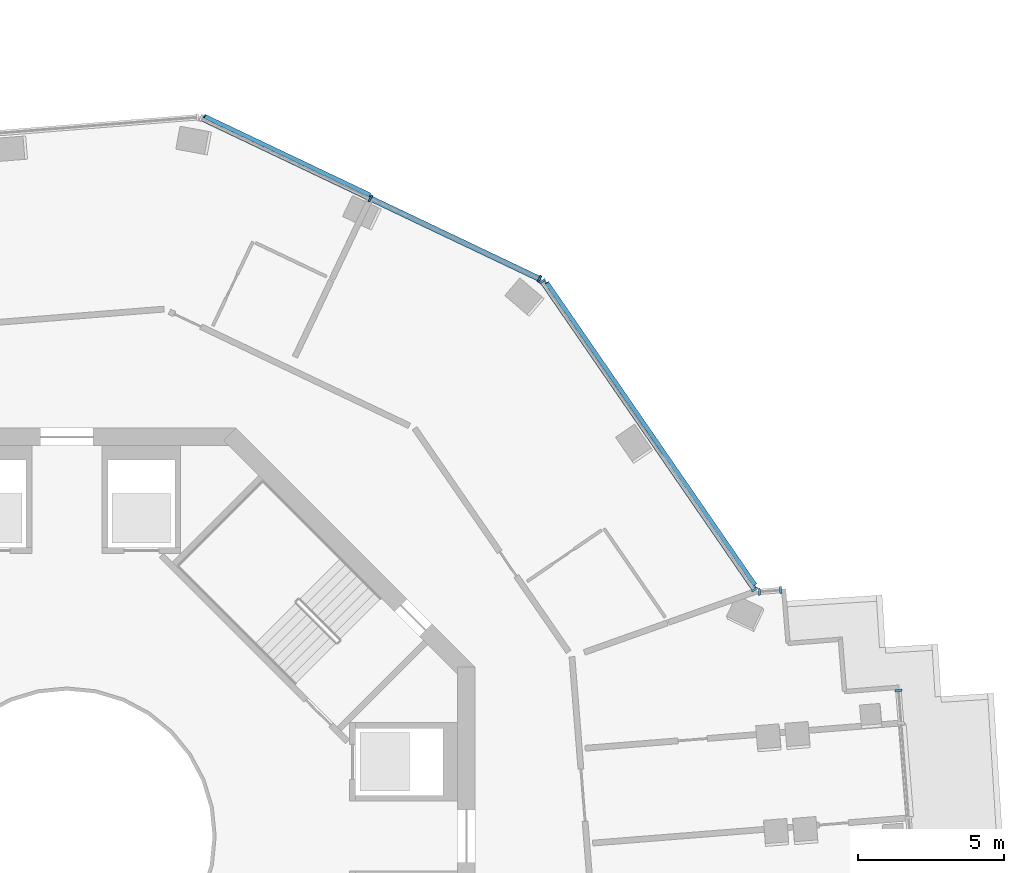
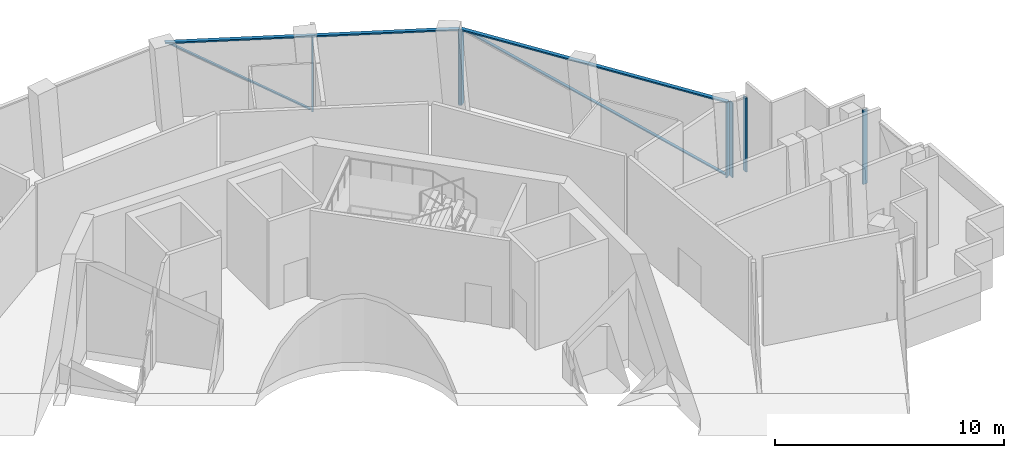
# One storey, part 5 of 21: 11 members, 4 elements without a shape of their own.
"""IFC4 building model written with IfcOpenShell, lengths in metres."""

from ifc_helpers import new_model, si_unit, direction, frame, origin, origin_2d, place, context, subcontext, project, spatial, rectangle, extrude, material, layer, layer_set, material_profile, profile_set, type_object, element, aggregate, save


model = new_model("IFC4")

# Units and contexts
model_context = context("Model", 3, precision=1e-05, world=origin(), true_north=direction((0.0, 1.0)))
body_context = subcontext(model_context, "Body", "Model", "MODEL_VIEW")
ifc_project = project(units=[si_unit("LENGTHUNIT", "METRE"), si_unit("AREAUNIT", "SQUARE_METRE"), si_unit("VOLUMEUNIT", "CUBIC_METRE"), si_unit("PLANEANGLEUNIT", "RADIAN"), si_unit("MASSUNIT", "GRAM", prefix="KILO")], contexts=[model_context])

# Site, building, storey
site_placement = place(None, origin())
site = spatial("IfcSite", under=ifc_project, at=site_placement, CompositionType="ELEMENT")
building_placement = place(site_placement, origin())
building = spatial("IfcBuilding", under=site, at=building_placement, Name="Verdalira Terraces Hotel", CompositionType="ELEMENT")
storey_placement = place(building_placement, frame((0.0, 0.0, 175.0)))
storey = spatial("IfcBuildingStorey", under=building, at=storey_placement, Name="L42", CompositionType="ELEMENT", Elevation=175.0)

# Curtain wall, member
ifc_material_1 = material(Name="Clear glass", Category="glass")
ifc_layer = layer(ifc_material_1, 0.239990234375)
ifc_layer_set = layer_set([ifc_layer], Name="CW5 curtain wall")
curtain_wall_type = type_object("IfcCurtainWallType", Name="CW5 curtain wall", PredefinedType="NOTDEFINED", material=ifc_layer_set)
curtain_wall_1_placement = place(storey_placement, origin())
curtain_wall_1 = element("IfcCurtainWall", 1, at=curtain_wall_1_placement, inside=storey, type_object=curtain_wall_type, Name="CW5 curtain wall L42 edge 33", PredefinedType="NOTDEFINED")
ifc_material_2 = material(Name="Terracotta frame", Category="masonry")
ifc_material_profile_1 = material_profile(ifc_material_2, rectangle(XDim=0.070068, YDim=0.23999, at=origin_2d()), Name="MU 70x240")
ifc_profile_set_1 = profile_set([ifc_material_profile_1], Name="Terracotta frame")
member_type_1 = type_object("IfcMemberType", Name="CW5 mullion 70x240", PredefinedType="MULLION", material=ifc_profile_set_1)
member_1_placement = place(storey_placement, frame((28.52124, 4.998291, 0.0), z_axis=(0.0, 0.0, 1.0), x_axis=(-0.079503022, 0.996834625, 0.0)))
member_1 = element("IfcMember", 2, at=member_1_placement, type_object=member_type_1, Name="CW5 mullion", PredefinedType="MULLION", context=body_context, shape_type="SweptSolid", body=[
    extrude(rectangle(XDim=0.070068, YDim=0.23999, at=origin_2d()), origin(), (0.0, 0.0, 1.0), 3.965088),
])
aggregate(curtain_wall_1, [member_1])

# Curtain wall, members
curtain_wall_2_placement = place(storey_placement, origin())
curtain_wall_2 = element("IfcCurtainWall", 3, at=curtain_wall_2_placement, inside=storey, type_object=curtain_wall_type, Name="CW5 curtain wall L42 edge 38", PredefinedType="NOTDEFINED")
member_2_placement = place(storey_placement, frame((24.479492, 8.442871, 0.0), z_axis=(0.0, 0.0, 1.0), x_axis=(-0.996834625, -0.079503022, 0.0)))
member_2 = element("IfcMember", 4, at=member_2_placement, type_object=member_type_1, Name="CW5 mullion", PredefinedType="MULLION", context=body_context, shape_type="SweptSolid", body=[
    extrude(rectangle(XDim=0.070068, YDim=0.23999, at=origin_2d()), origin(), (0.0, 0.0, 1.0), 3.965088),
])
member_3_placement = place(storey_placement, frame((23.753906, 8.38501, 0.0), z_axis=(0.0, 0.0, 1.0), x_axis=(-0.996834625, -0.079503022, 0.0)))
member_3 = element("IfcMember", 5, at=member_3_placement, type_object=member_type_1, Name="CW5 mullion", PredefinedType="MULLION", context=body_context, shape_type="SweptSolid", body=[
    extrude(rectangle(XDim=0.070068, YDim=0.23999, at=origin_2d()), origin(), (0.0, 0.0, 1.0), 3.965088),
])
aggregate(curtain_wall_2, [member_2, member_3])

curtain_wall_3_placement = place(storey_placement, origin())
curtain_wall_3 = element("IfcCurtainWall", 6, at=curtain_wall_3_placement, inside=storey, type_object=curtain_wall_type, Name="CW5 curtain wall L42 edge 39", PredefinedType="NOTDEFINED")
member_4_placement = place(storey_placement, frame((23.59082, 8.462646, 0.0), z_axis=(0.0, 0.0, 1.0), x_axis=(-0.567268949, 0.823532598, 0.0)))
member_4 = element("IfcMember", 7, at=member_4_placement, type_object=member_type_1, Name="CW5 mullion", PredefinedType="MULLION", context=body_context, shape_type="SweptSolid", body=[
    extrude(rectangle(XDim=0.070068, YDim=0.23999, at=origin_2d()), origin(), (0.0, 0.0, 1.0), 3.965088),
])
member_5_placement = place(storey_placement, frame((16.308105, 19.034912, 0.0), z_axis=(0.0, 0.0, 1.0), x_axis=(-0.567268949, 0.823532598, 0.0)))
member_5 = element("IfcMember", 8, at=member_5_placement, type_object=member_type_1, Name="CW5 mullion", PredefinedType="MULLION", context=body_context, shape_type="SweptSolid", body=[
    extrude(rectangle(XDim=0.070068, YDim=0.23999, at=origin_2d()), origin(), (0.0, 0.0, 1.0), 3.965088),
])

curtain_wall_4_placement = place(storey_placement, origin())
curtain_wall_4 = element("IfcCurtainWall", 9, at=curtain_wall_4_placement, inside=storey, type_object=curtain_wall_type, Name="CW5 curtain wall L42 edge 40", PredefinedType="NOTDEFINED")
member_6_placement = place(storey_placement, frame((16.209473, 19.119141, 0.0), z_axis=(0.0, 0.0, 1.0), x_axis=(-0.90303562, 0.429565676, 0.0)))
member_6 = element("IfcMember", 10, at=member_6_placement, type_object=member_type_1, Name="CW5 mullion", PredefinedType="MULLION", context=body_context, shape_type="SweptSolid", body=[
    extrude(rectangle(XDim=0.070068, YDim=0.23999, at=origin_2d()), origin(), (0.0, 0.0, 1.0), 3.965088),
])
member_7_placement = place(storey_placement, frame((10.407715, 21.87915, 0.0), z_axis=(0.0, 0.0, 1.0), x_axis=(-0.90303562, 0.429565676, 0.0)))
member_7 = element("IfcMember", 11, at=member_7_placement, type_object=member_type_1, Name="CW5 mullion", PredefinedType="MULLION", context=body_context, shape_type="SweptSolid", body=[
    extrude(rectangle(XDim=0.070068, YDim=0.23999, at=origin_2d()), origin(), (0.0, 0.0, 1.0), 3.965088),
])

# Member
ifc_material_3 = material(Name="Terracotta frame", Category="masonry")
ifc_material_profile_2 = material_profile(ifc_material_3, rectangle(XDim=0.189941, YDim=0.074951, at=origin_2d()), Name="TR 75x190")
ifc_profile_set_2 = profile_set([ifc_material_profile_2], Name="Terracotta frame")
member_type_2 = type_object("IfcMemberType", Name="CW5 transom 75x190", PredefinedType="USERDEFINED", material=ifc_profile_set_2)
member_8_placement = place(storey_placement, frame((23.610596, 8.433838, 4.002441), z_axis=(-0.567276731, 0.823527237, 0.0), x_axis=(-0.823527237, -0.567276731, 0.0)))
member_8 = element("IfcMember", 12, at=member_8_placement, type_object=member_type_2, Name="CW5 transom", ObjectType="TRANSOM", PredefinedType="USERDEFINED", context=body_context, shape_type="SweptSolid", body=[
    extrude(rectangle(XDim=0.189941, YDim=0.074951, at=origin_2d()), origin(), (0.0, 0.0, 1.0), 12.907715),
])

member_9_placement = place(storey_placement, frame((16.241211, 19.104248, 4.002441), z_axis=(-0.903037883, 0.429560918, 0.0), x_axis=(-0.429560918, -0.903037883, 0.0)))
member_9 = element("IfcMember", 13, at=member_9_placement, type_object=member_type_2, Name="CW5 transom", ObjectType="TRANSOM", PredefinedType="USERDEFINED", context=body_context, shape_type="SweptSolid", body=[
    extrude(rectangle(XDim=0.189941, YDim=0.074951, at=origin_2d()), origin(), (0.0, 0.0, 1.0), 12.919678),
])

ifc_material_4 = material(Name="Terracotta frame", Category="masonry")
ifc_material_profile_3 = material_profile(ifc_material_4, rectangle(XDim=0.149902, YDim=0.060059, at=origin_2d()), Name="GB 60x150")
ifc_profile_set_3 = profile_set([ifc_material_profile_3], Name="Terracotta frame")
member_type_3 = type_object("IfcMemberType", Name="Diagonal glazing bar 60x150", PredefinedType="USERDEFINED", material=ifc_profile_set_3)
member_10_placement = place(storey_placement, frame((23.597412, 8.624023, 0.029297), z_axis=(-0.541749326, 0.786480863, 0.296572957), x_axis=(-0.823531376, -0.567270723, 0.0)))
member_10 = element("IfcMember", 14, at=member_10_placement, type_object=member_type_3, Name="Diagonal glazing bar", ObjectType="GLAZING BAR", PredefinedType="USERDEFINED", context=body_context, shape_type="SweptSolid", body=[
    extrude(rectangle(XDim=0.149902, YDim=0.060059, at=origin_2d()), origin(), (0.0, 0.0, 1.0), 13.172119),
])

aggregate(curtain_wall_3, [member_4, member_5, member_8, member_10])

member_11_placement = place(storey_placement, frame((10.379395, 22.0, 0.026611), z_axis=(-0.766151021, 0.364426369, 0.52934491), x_axis=(-0.429542057, -0.903046854, 0.0)))
member_11 = element("IfcMember", 15, at=member_11_placement, type_object=member_type_3, Name="Diagonal glazing bar", ObjectType="GLAZING BAR", PredefinedType="USERDEFINED", context=body_context, shape_type="SweptSolid", body=[
    extrude(rectangle(XDim=0.149902, YDim=0.060059, at=origin_2d()), origin(), (0.0, 0.0, 1.0), 7.389893),
])

aggregate(curtain_wall_4, [member_6, member_7, member_9, member_11])

save(model, "model.ifc")
